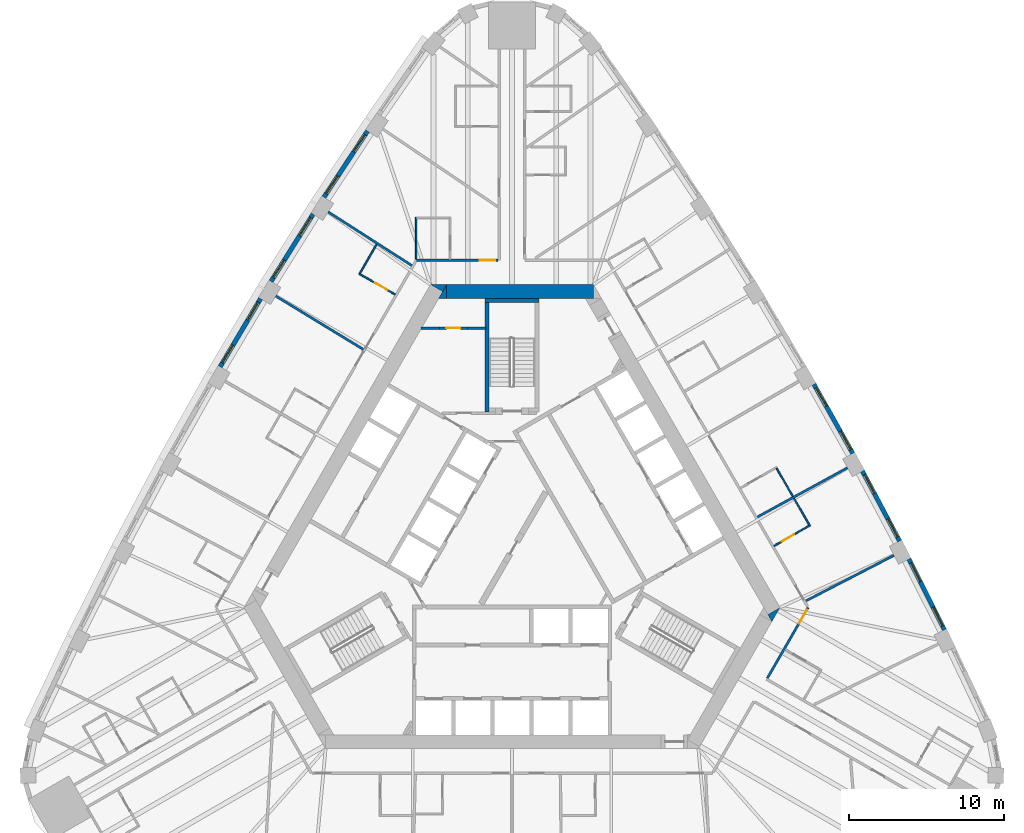
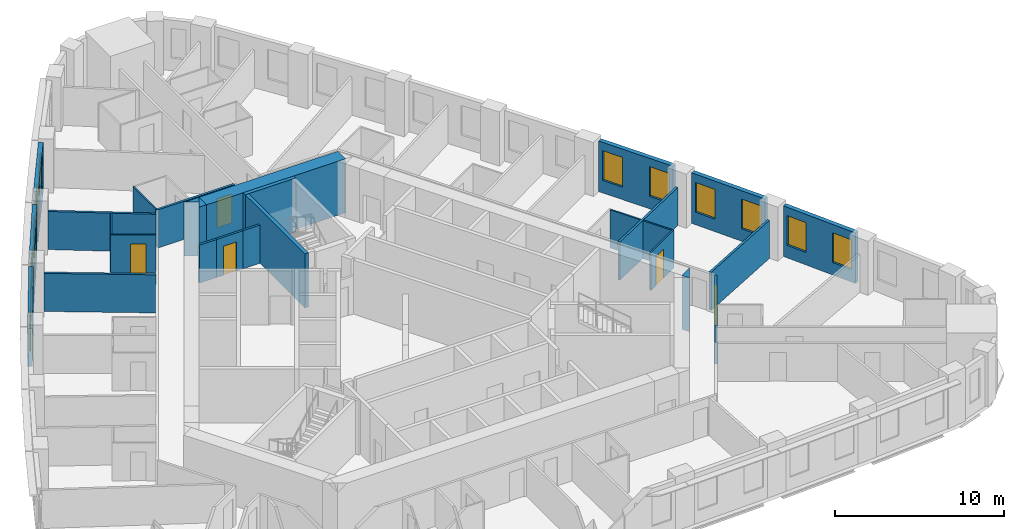
# One storey, part 9 of 12: 27 walls, 12 windows, 5 doors, 17 openings.
"""IFC4 building model written with IfcOpenShell, lengths in metres."""

from ifc_helpers import new_model, si_unit, direction, frame, frame_2d, origin, place, context, subcontext, project, spatial, polyline, rectangle, outline, extrude, material, layer, layer_set, type_object, element, fill, save


model = new_model("IFC4")

# Units and contexts
model_context = context("Model", 3, precision=1e-05, world=origin(), true_north=direction((0.0, 1.0)))
body_context = subcontext(model_context, "Body", "Model", "MODEL_VIEW")
ifc_project = project(units=[si_unit("LENGTHUNIT", "METRE"), si_unit("AREAUNIT", "SQUARE_METRE"), si_unit("VOLUMEUNIT", "CUBIC_METRE"), si_unit("PLANEANGLEUNIT", "RADIAN"), si_unit("MASSUNIT", "GRAM", prefix="KILO")], contexts=[model_context])

# Site, building, storey
site_placement = place(None, origin())
site = spatial("IfcSite", under=ifc_project, at=site_placement, CompositionType="ELEMENT")
building_placement = place(site_placement, origin())
building = spatial("IfcBuilding", under=site, at=building_placement, Name="Mestral Congress Tower", CompositionType="ELEMENT")
storey_placement = place(building_placement, frame((0.0, 0.0, 107.10009765625)))
storey = spatial("IfcBuildingStorey", under=building, at=storey_placement, Name="L25", CompositionType="ELEMENT", Elevation=107.10009765625)

# Walls
ifc_material_1 = material(Name="Fire-rated board partition")
ifc_layer_1 = layer(ifc_material_1, 0.14990234375)
ifc_layer_set_1 = layer_set([ifc_layer_1], Name="Fire-rated board partition")
wall_type_1 = type_object("IfcWallType", Name="Core partition 150", PredefinedType="PARTITIONING", material=ifc_layer_set_1)
wall_1_placement = place(storey_placement, frame((-5.85107421875, 14.10205078125, 0.0), z_axis=(0.0, 0.0, 1.0), x_axis=(1.0, 0.0, 0.0)))
element("IfcWall", 1, at=wall_1_placement, inside=storey, type_object=wall_type_1, Name="L25 core wall", PredefinedType="PARTITIONING", context=body_context, shape_type="SweptSolid", body=[
    extrude(rectangle(XDim=1.18017578125, YDim=0.14990234375, at=frame_2d((0.590087890625, 0.0))), origin(), (0.0, 0.0, 1.0), 2.75),
])
wall_2_placement = place(storey_placement, frame((-2.87060546875, 14.10205078125, 0.0), z_axis=(0.0, 0.0, 1.0), x_axis=(1.0, 0.0, 0.0)))
element("IfcWall", 2, at=wall_2_placement, inside=storey, type_object=wall_type_1, Name="L25 core wall", PredefinedType="PARTITIONING", context=body_context, shape_type="SweptSolid", body=[
    extrude(rectangle(XDim=1.195556640625, YDim=0.14990234375, at=frame_2d((0.59765625, 0.0))), origin(), (0.0, 0.0, 1.0), 2.75),
])

# Wall, opening, door
wall_3_placement = place(storey_placement, frame((-2.870849609375, 14.10205078125, 0.0), z_axis=(0.0, 0.0, 1.0), x_axis=(-1.0, 0.0, 0.0)))
wall_3 = element("IfcWall", 3, at=wall_3_placement, inside=storey, type_object=wall_type_1, Name="L25 door wall", PredefinedType="PARTITIONING", context=body_context, shape_type="SweptSolid", body=[
    extrude(rectangle(XDim=1.800048828125, YDim=0.14990234375, at=frame_2d((0.89990234375, 0.0))), origin(), (0.0, 0.0, 1.0), 2.75),
])
opening_1_placement = place(wall_3_placement, frame((0.449951171875, 0.0, 0.0)))
opening_1 = element("IfcOpeningElement", 4, at=opening_1_placement, cuts=wall_3, Name="Opening SD-WS2", PredefinedType="OPENING", context=body_context, shape_type="SweptSolid", body=[
    extrude(rectangle(XDim=0.89990234375, YDim=2.10009765625, at=frame_2d((0.449951171875, 1.050048828125))), frame((0.0, 0.0849609375, 0.0), z_axis=(0.0, -1.0, 0.0), x_axis=(1.0, 0.0, 0.0)), (0.0, 0.0, 1.0), 0.169921875),
])
ifc_material_2 = material(Name="Fire-rated steel door set", Category="steel")
door_type_1 = type_object("IfcDoorType", Name="Core door SR 900x2100", OperationType="SINGLE_SWING_LEFT", PredefinedType="DOOR", material=ifc_material_2)
door_1_placement = place(opening_1_placement, origin())
door_1 = element("IfcDoor", 5, at=door_1_placement, inside=storey, type_object=door_type_1, Name="Door SD-WS2", OperationType="SINGLE_SWING_LEFT", OverallHeight=2.10009765625, OverallWidth=0.89990234375, PredefinedType="DOOR", context=body_context, shape_type="SweptSolid", body=[
    extrude(rectangle(XDim=0.89990234375, YDim=2.10009765625, at=frame_2d((0.449951171875, 1.050048828125))), frame((0.0, 0.02490234375, 0.0), z_axis=(0.0, -1.0, 0.0), x_axis=(1.0, 0.0, 0.0)), (0.0, 0.0, 1.0), 0.050048828125),
])
fill(opening_1, door_1)

# Walls
ifc_material_3 = material(Name="Concrete C60/75", Category="concrete")
ifc_layer_2 = layer(ifc_material_3, 0.89990234375)
ifc_layer_set_2 = layer_set([ifc_layer_2], Name="Concrete C60/75")
wall_type_2 = type_object("IfcWallType", Name="Core wall RC 900", PredefinedType="SOLIDWALL", material=ifc_layer_set_2)
placement = place(storey_placement, origin())
element("IfcWall", 6, at=placement, inside=storey, type_object=wall_type_2, Name="L25 core wall", PredefinedType="SOLIDWALL", context=body_context, shape_type="SweptSolid", body=[
    extrude(outline(polyline([(16.7431640625, -4.800048828125), (16.4892578125, -4.360107421875), (17.251220703125, -3.920166015625), (16.7431640625, -4.800048828125)])), origin(), (0.0, 0.0, 1.0), 3.89990234375),
])
element("IfcWall", 7, at=placement, inside=storey, type_object=wall_type_2, Name="L25 core wall", PredefinedType="SOLIDWALL", context=body_context, shape_type="SweptSolid", body=[
    extrude(outline(polyline([(-4.214599609375, 16.89990234375), (-4.46875, 16.460205078125), (-5.230712890625, 16.89990234375), (-4.214599609375, 16.89990234375)])), origin(), (0.0, 0.0, 1.0), 3.89990234375),
])
wall_6_placement = place(storey_placement, frame((-4.224365234375, 16.449951171875, 0.0), z_axis=(0.0, 0.0, 1.0), x_axis=(1.0, 0.0, 0.0)))
element("IfcWall", 8, at=wall_6_placement, inside=storey, type_object=wall_type_2, Name="L25 core wall", PredefinedType="SOLIDWALL", context=body_context, shape_type="SweptSolid", body=[
    extrude(rectangle(XDim=9.48779296875, YDim=0.89990234375, at=frame_2d((4.743896484375, 0.0))), origin(), (0.0, 0.0, 1.0), 3.89990234375),
])
element("IfcWall", 9, at=placement, inside=storey, type_object=wall_type_2, Name="L25 core wall", PredefinedType="SOLIDWALL", context=body_context, shape_type="SweptSolid", body=[
    extrude(outline(polyline([(-4.734375, 16.0), (-4.226318359375, 16.8798828125), (-4.226318359375, 16.0), (-4.734375, 16.0)])), origin(), (0.0, 0.0, 1.0), 3.89990234375),
])

# Wall, openings, windows
ifc_material_4 = material(Name="Precast concrete C40/50 with limestone facing", Category="masonry")
ifc_layer_3 = layer(ifc_material_4, 0.2900390625)
ifc_layer_set_3 = layer_set([ifc_layer_3], Name="Precast concrete C40/50 with limestone facing")
wall_type_3 = type_object("IfcWallType", Name="Facade stone wall 290", PredefinedType="SOLIDWALL", material=ifc_layer_set_3)
wall_8_placement = place(storey_placement, frame((27.864013671875, -5.336181640625, 0.0), z_axis=(0.0, 0.0, 1.0), x_axis=(-0.448534297211, 0.893765620409, 0.0)))
wall_8 = element("IfcWall", 10, at=wall_8_placement, inside=storey, type_object=wall_type_3, Name="Facade wall F1-01", PredefinedType="SOLIDWALL", context=body_context, shape_type="SweptSolid", body=[
    extrude(rectangle(XDim=5.10009765625, YDim=0.2900390625, at=frame_2d((2.550048828125, 0.0))), origin(), (0.0, 0.0, 1.0), 3.64990234375),
])
opening_2_placement = place(wall_8_placement, frame((0.2724609375, 0.0, 0.89990234375)))
opening_2 = element("IfcOpeningElement", 11, at=opening_2_placement, cuts=wall_8, Name="Opening W2", PredefinedType="OPENING", context=body_context, shape_type="SweptSolid", body=[
    extrude(rectangle(XDim=1.35009765625, YDim=2.14990234375, at=frame_2d((0.675048828125, 1.074951171875))), frame((0.0, 0.155029296875, 0.0), z_axis=(0.0, -1.0, 0.0), x_axis=(1.0, 0.0, 0.0)), (0.0, 0.0, 1.0), 0.31005859375),
])
opening_3_placement = place(wall_8_placement, frame((3.477783203125, 0.0, 0.89990234375)))
opening_3 = element("IfcOpeningElement", 12, at=opening_3_placement, cuts=wall_8, Name="Opening W2", PredefinedType="OPENING", context=body_context, shape_type="SweptSolid", body=[
    extrude(rectangle(XDim=1.35009765625, YDim=2.14990234375, at=frame_2d((0.675048828125, 1.074951171875))), frame((0.0, 0.155029296875, 0.0), z_axis=(0.0, -1.0, 0.0), x_axis=(1.0, 0.0, 0.0)), (0.0, 0.0, 1.0), 0.31005859375),
])
ifc_material_5 = material(Name="Clear low-emissivity double glazing", Category="glass")
window_type = type_object("IfcWindowType", Name="Facade punched window 1350 x 2150 sill 900", PartitioningType="DOUBLE_PANEL_VERTICAL", PredefinedType="WINDOW", material=ifc_material_5)
window_1_placement = place(opening_2_placement, origin())
window_1 = element("IfcWindow", 13, at=window_1_placement, inside=storey, type_object=window_type, Name="Window F1-01a", OverallHeight=2.14990234375, OverallWidth=1.35009765625, PartitioningType="DOUBLE_PANEL_VERTICAL", PredefinedType="WINDOW", context=body_context, shape_type="SweptSolid", body=[
    extrude(rectangle(XDim=1.35009765625, YDim=2.14990234375, at=frame_2d((0.675048828125, 1.074951171875))), frame((0.0, 0.01513671875, 0.0), z_axis=(0.0, -1.0, 0.0), x_axis=(1.0, 0.0, 0.0)), (0.0, 0.0, 1.0), 0.06005859375),
])
fill(opening_2, window_1)
window_2_placement = place(opening_3_placement, origin())
window_2 = element("IfcWindow", 14, at=window_2_placement, inside=storey, type_object=window_type, Name="Window F1-01b", OverallHeight=2.14990234375, OverallWidth=1.35009765625, PartitioningType="DOUBLE_PANEL_VERTICAL", PredefinedType="WINDOW", context=body_context, shape_type="SweptSolid", body=[
    extrude(rectangle(XDim=1.35009765625, YDim=2.14990234375, at=frame_2d((0.675048828125, 1.074951171875))), frame((0.0, 0.01513671875, 0.0), z_axis=(0.0, -1.0, 0.0), x_axis=(1.0, 0.0, 0.0)), (0.0, 0.0, 1.0), 0.06005859375),
])
fill(opening_3, window_2)

wall_9_placement = place(storey_placement, frame((24.976806640625, 0.3828125, 0.0), z_axis=(0.0, 0.0, 1.0), x_axis=(-0.469323203119, 0.883026461106, 0.0)))
wall_9 = element("IfcWall", 15, at=wall_9_placement, inside=storey, type_object=wall_type_3, Name="Facade wall F1-02", PredefinedType="SOLIDWALL", context=body_context, shape_type="SweptSolid", body=[
    extrude(rectangle(XDim=5.1005859375, YDim=0.2900390625, at=frame_2d((2.55029296875, 0.0))), origin(), (0.0, 0.0, 1.0), 3.64990234375),
])
opening_4_placement = place(wall_9_placement, frame((0.272705078125, 0.0, 0.89990234375)))
opening_4 = element("IfcOpeningElement", 16, at=opening_4_placement, cuts=wall_9, Name="Opening W2", PredefinedType="OPENING", context=body_context, shape_type="SweptSolid", body=[
    extrude(rectangle(XDim=1.35009765625, YDim=2.14990234375, at=frame_2d((0.675048828125, 1.074951171875))), frame((0.0, 0.155029296875, 0.0), z_axis=(0.0, -1.0, 0.0), x_axis=(1.0, 0.0, 0.0)), (0.0, 0.0, 1.0), 0.31005859375),
])
opening_5_placement = place(wall_9_placement, frame((3.477783203125, 0.0, 0.89990234375)))
opening_5 = element("IfcOpeningElement", 17, at=opening_5_placement, cuts=wall_9, Name="Opening W2", PredefinedType="OPENING", context=body_context, shape_type="SweptSolid", body=[
    extrude(rectangle(XDim=1.35009765625, YDim=2.14990234375, at=frame_2d((0.675048828125, 1.074951171875))), frame((0.0, 0.155029296875, 0.0), z_axis=(0.0, -1.0, 0.0), x_axis=(1.0, 0.0, 0.0)), (0.0, 0.0, 1.0), 0.31005859375),
])
window_3_placement = place(opening_4_placement, origin())
window_3 = element("IfcWindow", 18, at=window_3_placement, inside=storey, type_object=window_type, Name="Window F1-02a", OverallHeight=2.14990234375, OverallWidth=1.35009765625, PartitioningType="DOUBLE_PANEL_VERTICAL", PredefinedType="WINDOW", context=body_context, shape_type="SweptSolid", body=[
    extrude(rectangle(XDim=1.35009765625, YDim=2.14990234375, at=frame_2d((0.675048828125, 1.074951171875))), frame((0.0, 0.01513671875, 0.0), z_axis=(0.0, -1.0, 0.0), x_axis=(1.0, 0.0, 0.0)), (0.0, 0.0, 1.0), 0.06005859375),
])
fill(opening_4, window_3)
window_4_placement = place(opening_5_placement, origin())
window_4 = element("IfcWindow", 19, at=window_4_placement, inside=storey, type_object=window_type, Name="Window F1-02b", OverallHeight=2.14990234375, OverallWidth=1.35009765625, PartitioningType="DOUBLE_PANEL_VERTICAL", PredefinedType="WINDOW", context=body_context, shape_type="SweptSolid", body=[
    extrude(rectangle(XDim=1.35009765625, YDim=2.14990234375, at=frame_2d((0.675048828125, 1.074951171875))), frame((0.0, 0.01513671875, 0.0), z_axis=(0.0, -1.0, 0.0), x_axis=(1.0, 0.0, 0.0)), (0.0, 0.0, 1.0), 0.06005859375),
])
fill(opening_5, window_4)

wall_10_placement = place(storey_placement, frame((21.956298828125, 6.033203125, 0.0), z_axis=(0.0, 0.0, 1.0), x_axis=(-0.48983164787, 0.87181704316, 0.0)))
wall_10 = element("IfcWall", 20, at=wall_10_placement, inside=storey, type_object=wall_type_3, Name="Facade wall F1-03", PredefinedType="SOLIDWALL", context=body_context, shape_type="SweptSolid", body=[
    extrude(rectangle(XDim=5.100341796875, YDim=0.2900390625, at=frame_2d((2.55029296875, 0.0))), origin(), (0.0, 0.0, 1.0), 3.64990234375),
])
opening_6_placement = place(wall_10_placement, frame((0.272705078125, 0.0, 0.89990234375)))
opening_6 = element("IfcOpeningElement", 21, at=opening_6_placement, cuts=wall_10, Name="Opening W2", PredefinedType="OPENING", context=body_context, shape_type="SweptSolid", body=[
    extrude(rectangle(XDim=1.35009765625, YDim=2.14990234375, at=frame_2d((0.675048828125, 1.074951171875))), frame((0.0, 0.155029296875, 0.0), z_axis=(0.0, -1.0, 0.0), x_axis=(1.0, 0.0, 0.0)), (0.0, 0.0, 1.0), 0.31005859375),
])
opening_7_placement = place(wall_10_placement, frame((3.477783203125, 0.0, 0.89990234375)))
opening_7 = element("IfcOpeningElement", 22, at=opening_7_placement, cuts=wall_10, Name="Opening W2", PredefinedType="OPENING", context=body_context, shape_type="SweptSolid", body=[
    extrude(rectangle(XDim=1.35009765625, YDim=2.14990234375, at=frame_2d((0.675048828125, 1.074951171875))), frame((0.0, 0.155029296875, 0.0), z_axis=(0.0, -1.0, 0.0), x_axis=(1.0, 0.0, 0.0)), (0.0, 0.0, 1.0), 0.31005859375),
])
window_5_placement = place(opening_6_placement, origin())
window_5 = element("IfcWindow", 23, at=window_5_placement, inside=storey, type_object=window_type, Name="Window F1-03a", OverallHeight=2.14990234375, OverallWidth=1.35009765625, PartitioningType="DOUBLE_PANEL_VERTICAL", PredefinedType="WINDOW", context=body_context, shape_type="SweptSolid", body=[
    extrude(rectangle(XDim=1.35009765625, YDim=2.14990234375, at=frame_2d((0.675048828125, 1.074951171875))), frame((0.0, 0.01513671875, 0.0), z_axis=(0.0, -1.0, 0.0), x_axis=(1.0, 0.0, 0.0)), (0.0, 0.0, 1.0), 0.06005859375),
])
fill(opening_6, window_5)
window_6_placement = place(opening_7_placement, origin())
window_6 = element("IfcWindow", 24, at=window_6_placement, inside=storey, type_object=window_type, Name="Window F1-03b", OverallHeight=2.14990234375, OverallWidth=1.35009765625, PartitioningType="DOUBLE_PANEL_VERTICAL", PredefinedType="WINDOW", context=body_context, shape_type="SweptSolid", body=[
    extrude(rectangle(XDim=1.35009765625, YDim=2.14990234375, at=frame_2d((0.675048828125, 1.074951171875))), frame((0.0, 0.01513671875, 0.0), z_axis=(0.0, -1.0, 0.0), x_axis=(1.0, 0.0, 0.0)), (0.0, 0.0, 1.0), 0.06005859375),
])
fill(opening_7, window_6)

wall_11_placement = place(storey_placement, frame((-9.310791015625, 26.799072265625, 0.0), z_axis=(0.0, 0.0, 1.0), x_axis=(-0.549741341923, -0.835334937005, 0.0)))
wall_11 = element("IfcWall", 25, at=wall_11_placement, inside=storey, type_object=wall_type_3, Name="Facade wall F2-01", PredefinedType="SOLIDWALL", context=body_context, shape_type="SweptSolid", body=[
    extrude(rectangle(XDim=5.10009765625, YDim=0.2900390625, at=frame_2d((2.550048828125, 0.0))), origin(), (0.0, 0.0, 1.0), 3.64990234375),
])
opening_8_placement = place(wall_11_placement, frame((0.272705078125, 0.0, 0.89990234375)))
opening_8 = element("IfcOpeningElement", 26, at=opening_8_placement, cuts=wall_11, Name="Opening W2", PredefinedType="OPENING", context=body_context, shape_type="SweptSolid", body=[
    extrude(rectangle(XDim=1.35009765625, YDim=2.14990234375, at=frame_2d((0.675048828125, 1.074951171875))), frame((0.0, 0.155029296875, 0.0), z_axis=(0.0, -1.0, 0.0), x_axis=(1.0, 0.0, 0.0)), (0.0, 0.0, 1.0), 0.31005859375),
])
opening_9_placement = place(wall_11_placement, frame((3.477783203125, 0.0, 0.89990234375)))
opening_9 = element("IfcOpeningElement", 27, at=opening_9_placement, cuts=wall_11, Name="Opening W2", PredefinedType="OPENING", context=body_context, shape_type="SweptSolid", body=[
    extrude(rectangle(XDim=1.35009765625, YDim=2.14990234375, at=frame_2d((0.675048828125, 1.074951171875))), frame((0.0, 0.155029296875, 0.0), z_axis=(0.0, -1.0, 0.0), x_axis=(1.0, 0.0, 0.0)), (0.0, 0.0, 1.0), 0.31005859375),
])
window_7_placement = place(opening_8_placement, origin())
window_7 = element("IfcWindow", 28, at=window_7_placement, inside=storey, type_object=window_type, Name="Window F2-01a", OverallHeight=2.14990234375, OverallWidth=1.35009765625, PartitioningType="DOUBLE_PANEL_VERTICAL", PredefinedType="WINDOW", context=body_context, shape_type="SweptSolid", body=[
    extrude(rectangle(XDim=1.35009765625, YDim=2.14990234375, at=frame_2d((0.675048828125, 1.074951171875))), frame((0.0, 0.01513671875, 0.0), z_axis=(0.0, -1.0, 0.0), x_axis=(1.0, 0.0, 0.0)), (0.0, 0.0, 1.0), 0.06005859375),
])
fill(opening_8, window_7)
window_8_placement = place(opening_9_placement, origin())
window_8 = element("IfcWindow", 29, at=window_8_placement, inside=storey, type_object=window_type, Name="Window F2-01b", OverallHeight=2.14990234375, OverallWidth=1.35009765625, PartitioningType="DOUBLE_PANEL_VERTICAL", PredefinedType="WINDOW", context=body_context, shape_type="SweptSolid", body=[
    extrude(rectangle(XDim=1.35009765625, YDim=2.14990234375, at=frame_2d((0.675048828125, 1.074951171875))), frame((0.0, 0.01513671875, 0.0), z_axis=(0.0, -1.0, 0.0), x_axis=(1.0, 0.0, 0.0)), (0.0, 0.0, 1.0), 0.06005859375),
])
fill(opening_9, window_8)

wall_12_placement = place(storey_placement, frame((-12.820068359375, 21.43896484375, 0.0), z_axis=(0.0, 0.0, 1.0), x_axis=(-0.530072082134, -0.847952585787, 0.0)))
wall_12 = element("IfcWall", 30, at=wall_12_placement, inside=storey, type_object=wall_type_3, Name="Facade wall F2-02", PredefinedType="SOLIDWALL", context=body_context, shape_type="SweptSolid", body=[
    extrude(rectangle(XDim=5.100341796875, YDim=0.2900390625, at=frame_2d((2.55029296875, 0.0))), origin(), (0.0, 0.0, 1.0), 3.64990234375),
])
opening_10_placement = place(wall_12_placement, frame((0.272705078125, 0.0, 0.89990234375)))
opening_10 = element("IfcOpeningElement", 31, at=opening_10_placement, cuts=wall_12, Name="Opening W2", PredefinedType="OPENING", context=body_context, shape_type="SweptSolid", body=[
    extrude(rectangle(XDim=1.35009765625, YDim=2.14990234375, at=frame_2d((0.675048828125, 1.074951171875))), frame((0.0, 0.155029296875, 0.0), z_axis=(0.0, -1.0, 0.0), x_axis=(1.0, 0.0, 0.0)), (0.0, 0.0, 1.0), 0.31005859375),
])
opening_11_placement = place(wall_12_placement, frame((3.477783203125, 0.0, 0.89990234375)))
opening_11 = element("IfcOpeningElement", 32, at=opening_11_placement, cuts=wall_12, Name="Opening W2", PredefinedType="OPENING", context=body_context, shape_type="SweptSolid", body=[
    extrude(rectangle(XDim=1.35009765625, YDim=2.14990234375, at=frame_2d((0.675048828125, 1.074951171875))), frame((0.0, 0.155029296875, 0.0), z_axis=(0.0, -1.0, 0.0), x_axis=(1.0, 0.0, 0.0)), (0.0, 0.0, 1.0), 0.31005859375),
])
window_9_placement = place(opening_10_placement, origin())
window_9 = element("IfcWindow", 33, at=window_9_placement, inside=storey, type_object=window_type, Name="Window F2-02a", OverallHeight=2.14990234375, OverallWidth=1.35009765625, PartitioningType="DOUBLE_PANEL_VERTICAL", PredefinedType="WINDOW", context=body_context, shape_type="SweptSolid", body=[
    extrude(rectangle(XDim=1.35009765625, YDim=2.14990234375, at=frame_2d((0.675048828125, 1.074951171875))), frame((0.0, 0.01513671875, 0.0), z_axis=(0.0, -1.0, 0.0), x_axis=(1.0, 0.0, 0.0)), (0.0, 0.0, 1.0), 0.06005859375),
])
fill(opening_10, window_9)
window_10_placement = place(opening_11_placement, origin())
window_10 = element("IfcWindow", 34, at=window_10_placement, inside=storey, type_object=window_type, Name="Window F2-02b", OverallHeight=2.14990234375, OverallWidth=1.35009765625, PartitioningType="DOUBLE_PANEL_VERTICAL", PredefinedType="WINDOW", context=body_context, shape_type="SweptSolid", body=[
    extrude(rectangle(XDim=1.35009765625, YDim=2.14990234375, at=frame_2d((0.675048828125, 1.074951171875))), frame((0.0, 0.01513671875, 0.0), z_axis=(0.0, -1.0, 0.0), x_axis=(1.0, 0.0, 0.0)), (0.0, 0.0, 1.0), 0.06005859375),
])
fill(opening_11, window_10)

wall_13_placement = place(storey_placement, frame((-16.203125, 15.998291015625, 0.0), z_axis=(0.0, 0.0, 1.0), x_axis=(-0.510054281659, -0.860142214847, 0.0)))
wall_13 = element("IfcWall", 35, at=wall_13_placement, inside=storey, type_object=wall_type_3, Name="Facade wall F2-03", PredefinedType="SOLIDWALL", context=body_context, shape_type="SweptSolid", body=[
    extrude(rectangle(XDim=5.1005859375, YDim=0.2900390625, at=frame_2d((2.55029296875, 0.0))), origin(), (0.0, 0.0, 1.0), 3.64990234375),
])
opening_12_placement = place(wall_13_placement, frame((0.272705078125, 0.0, 0.89990234375)))
opening_12 = element("IfcOpeningElement", 36, at=opening_12_placement, cuts=wall_13, Name="Opening W2", PredefinedType="OPENING", context=body_context, shape_type="SweptSolid", body=[
    extrude(rectangle(XDim=1.35009765625, YDim=2.14990234375, at=frame_2d((0.675048828125, 1.074951171875))), frame((0.0, 0.155029296875, 0.0), z_axis=(0.0, -1.0, 0.0), x_axis=(1.0, 0.0, 0.0)), (0.0, 0.0, 1.0), 0.31005859375),
])
opening_13_placement = place(wall_13_placement, frame((3.477783203125, 0.0, 0.89990234375)))
opening_13 = element("IfcOpeningElement", 37, at=opening_13_placement, cuts=wall_13, Name="Opening W2", PredefinedType="OPENING", context=body_context, shape_type="SweptSolid", body=[
    extrude(rectangle(XDim=1.35009765625, YDim=2.14990234375, at=frame_2d((0.675048828125, 1.074951171875))), frame((0.0, 0.155029296875, 0.0), z_axis=(0.0, -1.0, 0.0), x_axis=(1.0, 0.0, 0.0)), (0.0, 0.0, 1.0), 0.31005859375),
])
window_11_placement = place(opening_12_placement, origin())
window_11 = element("IfcWindow", 38, at=window_11_placement, inside=storey, type_object=window_type, Name="Window F2-03a", OverallHeight=2.14990234375, OverallWidth=1.35009765625, PartitioningType="DOUBLE_PANEL_VERTICAL", PredefinedType="WINDOW", context=body_context, shape_type="SweptSolid", body=[
    extrude(rectangle(XDim=1.35009765625, YDim=2.14990234375, at=frame_2d((0.675048828125, 1.074951171875))), frame((0.0, 0.01513671875, 0.0), z_axis=(0.0, -1.0, 0.0), x_axis=(1.0, 0.0, 0.0)), (0.0, 0.0, 1.0), 0.06005859375),
])
fill(opening_12, window_11)
window_12_placement = place(opening_13_placement, origin())
window_12 = element("IfcWindow", 39, at=window_12_placement, inside=storey, type_object=window_type, Name="Window F2-03b", OverallHeight=2.14990234375, OverallWidth=1.35009765625, PartitioningType="DOUBLE_PANEL_VERTICAL", PredefinedType="WINDOW", context=body_context, shape_type="SweptSolid", body=[
    extrude(rectangle(XDim=1.35009765625, YDim=2.14990234375, at=frame_2d((0.675048828125, 1.074951171875))), frame((0.0, 0.01513671875, 0.0), z_axis=(0.0, -1.0, 0.0), x_axis=(1.0, 0.0, 0.0)), (0.0, 0.0, 1.0), 0.06005859375),
])
fill(opening_13, window_12)

# Wall, opening, door
ifc_material_6 = material(Name="Gypsum board partition on metal studs with mineral wool", Category="composite")
ifc_layer_4 = layer(ifc_material_6, 0.10009765625)
ifc_layer_set_4 = layer_set([ifc_layer_4], Name="Gypsum board partition on metal studs with mineral wool")
wall_type_4 = type_object("IfcWallType", Name="Hotel partition wall 100", PredefinedType="PARTITIONING", material=ifc_layer_set_4)
wall_14_placement = place(storey_placement, frame((16.88134765625, 0.060546875, 0.0), z_axis=(0.0, 0.0, 1.0), x_axis=(0.866019956843, 0.50000943426, 0.0)))
wall_14 = element("IfcWall", 40, at=wall_14_placement, inside=storey, type_object=wall_type_4, Name="L25-h-pod10a", PredefinedType="PARTITIONING", context=body_context, shape_type="SweptSolid", body=[
    extrude(rectangle(XDim=2.7001953125, YDim=0.10009765625, at=frame_2d((1.35009765625, 0.0))), origin(), (0.0, 0.0, 1.0), 2.75),
])
opening_14_placement = place(wall_14_placement, frame((0.60009765625, 0.0, 0.0)))
opening_14 = element("IfcOpeningElement", 41, at=opening_14_placement, cuts=wall_14, Name="Opening H08-017", PredefinedType="OPENING", context=body_context, shape_type="SweptSolid", body=[
    extrude(rectangle(XDim=0.89990234375, YDim=2.10009765625, at=frame_2d((0.449951171875, 1.050048828125))), frame((0.0, 0.06005859375, 0.0), z_axis=(0.0, -1.0, 0.0), x_axis=(1.0, 0.0, 0.0)), (0.0, 0.0, 1.0), 0.1201171875),
])
ifc_material_7 = material(Name="Timber veneer door leaf in timber frame", Category="wood")
door_type_2 = type_object("IfcDoorType", Name="Bathroom door 900", OperationType="SINGLE_SWING_LEFT", PredefinedType="DOOR", material=ifc_material_7)
door_2_placement = place(opening_14_placement, origin())
door_2 = element("IfcDoor", 42, at=door_2_placement, inside=storey, type_object=door_type_2, Name="L25-h-d017", OperationType="SINGLE_SWING_LEFT", OverallHeight=2.10009765625, OverallWidth=0.89990234375, PredefinedType="DOOR", context=body_context, shape_type="SweptSolid", body=[
    extrude(rectangle(XDim=0.89990234375, YDim=2.10009765625, at=frame_2d((0.449951171875, 1.050048828125))), frame((0.0, 0.02490234375, 0.0), z_axis=(0.0, -1.0, 0.0), x_axis=(1.0, 0.0, 0.0)), (0.0, 0.0, 1.0), 0.050048828125),
])
fill(opening_14, door_2)

# Walls
wall_15_placement = place(storey_placement, frame((19.1513671875, 1.428955078125, 0.0), z_axis=(0.0, 0.0, 1.0), x_axis=(-0.500024377727, 0.866011328839, 0.0)))
element("IfcWall", 43, at=wall_15_placement, inside=storey, type_object=wall_type_4, Name="L25-h-pod10b", PredefinedType="PARTITIONING", context=body_context, shape_type="SweptSolid", body=[
    extrude(rectangle(XDim=1.9599609375, YDim=0.10009765625, at=frame_2d((0.97998046875, 0.0))), origin(), (0.0, 0.0, 1.0), 2.75),
])
wall_16_placement = place(storey_placement, frame((17.04736328125, 5.072998046875, 0.0), z_axis=(0.0, 0.0, 1.0), x_axis=(0.500008976872, -0.866020220923, 0.0)))
element("IfcWall", 44, at=wall_16_placement, inside=storey, type_object=wall_type_4, Name="L25-h-pod11b", PredefinedType="PARTITIONING", context=body_context, shape_type="SweptSolid", body=[
    extrude(rectangle(XDim=2.08984375, YDim=0.10009765625, at=frame_2d((1.044921875, 0.0))), origin(), (0.0, 0.0, 1.0), 2.75),
])
wall_17_placement = place(storey_placement, frame((-6.18310546875, 18.550048828125, 0.0), z_axis=(0.0, 0.0, 1.0), x_axis=(0.0, 1.0, 0.0)))
element("IfcWall", 45, at=wall_17_placement, inside=storey, type_object=wall_type_4, Name="L25-h-pod18c", PredefinedType="PARTITIONING", context=body_context, shape_type="SweptSolid", body=[
    extrude(rectangle(XDim=2.699951171875, YDim=0.10009765625, at=frame_2d((1.35009765625, 0.0))), origin(), (0.0, 0.0, 1.0), 2.75),
])

# Wall, opening, door
wall_18_placement = place(storey_placement, frame((-9.8642578125, 17.614501953125, 0.0), z_axis=(0.0, 0.0, 1.0), x_axis=(0.866019956843, -0.50000943426, 0.0)))
wall_18 = element("IfcWall", 46, at=wall_18_placement, inside=storey, type_object=wall_type_4, Name="L25-h-pod19a", PredefinedType="PARTITIONING", context=body_context, shape_type="SweptSolid", body=[
    extrude(rectangle(XDim=2.7001953125, YDim=0.10009765625, at=frame_2d((1.35009765625, 0.0))), origin(), (0.0, 0.0, 1.0), 2.75),
])
opening_15_placement = place(wall_18_placement, frame((1.199951171875, 0.0, 0.0)))
opening_15 = element("IfcOpeningElement", 47, at=opening_15_placement, cuts=wall_18, Name="Opening H08-034", PredefinedType="OPENING", context=body_context, shape_type="SweptSolid", body=[
    extrude(rectangle(XDim=0.89990234375, YDim=2.10009765625, at=frame_2d((0.449951171875, 1.050048828125))), frame((0.0, 0.06005859375, 0.0), z_axis=(0.0, -1.0, 0.0), x_axis=(1.0, 0.0, 0.0)), (0.0, 0.0, 1.0), 0.1201171875),
])
door_3_placement = place(opening_15_placement, origin())
door_3 = element("IfcDoor", 48, at=door_3_placement, inside=storey, type_object=door_type_2, Name="L25-h-d034", OperationType="SINGLE_SWING_LEFT", OverallHeight=2.10009765625, OverallWidth=0.89990234375, PredefinedType="DOOR", context=body_context, shape_type="SweptSolid", body=[
    extrude(rectangle(XDim=0.89990234375, YDim=2.10009765625, at=frame_2d((0.449951171875, 1.050048828125))), frame((0.0, 0.02490234375, 0.0), z_axis=(0.0, -1.0, 0.0), x_axis=(1.0, 0.0, 0.0)), (0.0, 0.0, 1.0), 0.050048828125),
])
fill(opening_15, door_3)

# Wall
wall_19_placement = place(storey_placement, frame((-9.7958984375, 17.6328125, 0.0), z_axis=(0.0, 0.0, 1.0), x_axis=(0.499961633463, 0.866047553582, 0.0)))
element("IfcWall", 49, at=wall_19_placement, inside=storey, type_object=wall_type_4, Name="L25-h-pod19b", PredefinedType="PARTITIONING", context=body_context, shape_type="SweptSolid", body=[
    extrude(rectangle(XDim=2.150146484375, YDim=0.10009765625, at=frame_2d((1.0751953125, 0.0))), origin(), (0.0, 0.0, 1.0), 2.75),
])

# Wall, opening, door
ifc_layer_5 = layer(ifc_material_6, 0.14990234375)
ifc_layer_set_5 = layer_set([ifc_layer_5], Name="Gypsum board partition on metal studs with mineral wool")
wall_type_5 = type_object("IfcWallType", Name="Hotel partition wall 150", PredefinedType="PARTITIONING", material=ifc_layer_set_5)
wall_20_placement = place(storey_placement, frame((19.081298828125, -3.89990234375, 0.0), z_axis=(0.0, 0.0, 1.0), x_axis=(-0.499974327079, -0.866040225545, 0.0)))
wall_20 = element("IfcWall", 50, at=wall_20_placement, inside=storey, type_object=wall_type_5, Name="L25-h-cw02", PredefinedType="PARTITIONING", context=body_context, shape_type="SweptSolid", body=[
    extrude(rectangle(XDim=5.258056640625, YDim=0.14990234375, at=frame_2d((2.62890625, 0.0))), origin(), (0.0, 0.0, 1.0), 2.75),
])
opening_16_placement = place(wall_20_placement, frame((0.179931640625, 0.0, 0.0)))
opening_16 = element("IfcOpeningElement", 51, at=opening_16_placement, cuts=wall_20, Name="Opening H08-014", PredefinedType="OPENING", context=body_context, shape_type="SweptSolid", body=[
    extrude(rectangle(XDim=1.0, YDim=2.10009765625, at=frame_2d((0.5, 1.050048828125))), frame((0.0, 0.0849609375, 0.0), z_axis=(0.0, -1.0, 0.0), x_axis=(1.0, 0.0, 0.0)), (0.0, 0.0, 1.0), 0.169921875),
])
ifc_material_8 = material(Name="Timber veneer door leaf in metal frame", Category="wood")
door_type_3 = type_object("IfcDoorType", Name="Guest room entrance door 1000", OperationType="SINGLE_SWING_LEFT", PredefinedType="DOOR", material=ifc_material_8)
door_4_placement = place(opening_16_placement, origin())
door_4 = element("IfcDoor", 52, at=door_4_placement, inside=storey, type_object=door_type_3, Name="L25-h-d014", OperationType="SINGLE_SWING_LEFT", OverallHeight=2.10009765625, OverallWidth=1.0, PredefinedType="DOOR", context=body_context, shape_type="SweptSolid", body=[
    extrude(rectangle(XDim=1.0, YDim=2.10009765625, at=frame_2d((0.5, 1.050048828125))), frame((0.0, 0.02490234375, 0.0), z_axis=(0.0, -1.0, 0.0), x_axis=(1.0, 0.0, 0.0)), (0.0, 0.0, 1.0), 0.050048828125),
])
fill(opening_16, door_4)

wall_21_placement = place(storey_placement, frame((-6.1630859375, 18.47509765625, 0.0), z_axis=(0.0, 0.0, 1.0), x_axis=(1.0, 0.0, 0.0)))
wall_21 = element("IfcWall", 53, at=wall_21_placement, inside=storey, type_object=wall_type_5, Name="L25-h-cw07", PredefinedType="PARTITIONING", context=body_context, shape_type="SweptSolid", body=[
    extrude(rectangle(XDim=5.258056640625, YDim=0.14990234375, at=frame_2d((2.62890625, 0.0))), origin(), (0.0, 0.0, 1.0), 2.75),
])
opening_17_placement = place(wall_21_placement, frame((4.078125, 0.0, 0.0)))
opening_17 = element("IfcOpeningElement", 54, at=opening_17_placement, cuts=wall_21, Name="Opening H08-031", PredefinedType="OPENING", context=body_context, shape_type="SweptSolid", body=[
    extrude(rectangle(XDim=1.0, YDim=2.10009765625, at=frame_2d((0.5, 1.050048828125))), frame((0.0, 0.0849609375, 0.0), z_axis=(0.0, -1.0, 0.0), x_axis=(1.0, 0.0, 0.0)), (0.0, 0.0, 1.0), 0.169921875),
])
door_5_placement = place(opening_17_placement, origin())
door_5 = element("IfcDoor", 55, at=door_5_placement, inside=storey, type_object=door_type_3, Name="L25-h-d031", OperationType="SINGLE_SWING_RIGHT", OverallHeight=2.10009765625, OverallWidth=1.0, PredefinedType="DOOR", context=body_context, shape_type="SweptSolid", body=[
    extrude(rectangle(XDim=1.0, YDim=2.10009765625, at=frame_2d((0.5, 1.050048828125))), frame((0.0, 0.02490234375, 0.0), z_axis=(0.0, -1.0, 0.0), x_axis=(1.0, 0.0, 0.0)), (0.0, 0.0, 1.0), 0.050048828125),
])
fill(opening_17, door_5)

# Walls
wall_22_placement = place(storey_placement, frame((-15.22509765625, 16.16748046875, 0.0), z_axis=(0.0, 0.0, 1.0), x_axis=(0.854088713274, -0.520127359266, 0.0)))
element("IfcWall", 56, at=wall_22_placement, inside=storey, type_object=wall_type_5, Name="L25-h-pw08", PredefinedType="PARTITIONING", context=body_context, shape_type="SweptSolid", body=[
    extrude(rectangle(XDim=6.61083984375, YDim=0.14990234375, at=frame_2d((3.305419921875, 0.0))), origin(), (0.0, 0.0, 1.0), 2.75),
])
wall_23_placement = place(storey_placement, frame((-11.838134765625, 21.585205078125, 0.0), z_axis=(0.0, 0.0, 1.0), x_axis=(0.841699322813, -0.539946525108, 0.0)))
element("IfcWall", 57, at=wall_23_placement, inside=storey, type_object=wall_type_5, Name="L25-h-pw09", PredefinedType="PARTITIONING", context=body_context, shape_type="SweptSolid", body=[
    extrude(rectangle(XDim=6.3916015625, YDim=0.14990234375, at=frame_2d((3.19580078125, 0.0))), origin(), (0.0, 0.0, 1.0), 2.75),
])
wall_24_placement = place(storey_placement, frame((21.614013671875, 5.1015625, 0.0), z_axis=(0.0, 0.0, 1.0), x_axis=(-0.877484555087, -0.479604895287, 0.0)))
element("IfcWall", 58, at=wall_24_placement, inside=storey, type_object=wall_type_5, Name="L25-h-pw22", PredefinedType="PARTITIONING", context=body_context, shape_type="SweptSolid", body=[
    extrude(rectangle(XDim=6.611083984375, YDim=0.14990234375, at=frame_2d((3.3056640625, 0.0))), origin(), (0.0, 0.0, 1.0), 2.75),
])
wall_25_placement = place(storey_placement, frame((24.612548828125, -0.54052734375, 0.0), z_axis=(0.0, 0.0, 1.0), x_axis=(-0.888459912519, -0.458954228487, 0.0)))
element("IfcWall", 59, at=wall_25_placement, inside=storey, type_object=wall_type_5, Name="L25-h-pw23", PredefinedType="PARTITIONING", context=body_context, shape_type="SweptSolid", body=[
    extrude(rectangle(XDim=6.391845703125, YDim=0.14990234375, at=frame_2d((3.19580078125, 0.0))), origin(), (0.0, 0.0, 1.0), 2.75),
])
ifc_layer_6 = layer(ifc_material_3, 0.25)
ifc_layer_set_6 = layer_set([ifc_layer_6], Name="Concrete C60/75")
wall_type_6 = type_object("IfcWallType", Name="Stair wall RC 250", PredefinedType="SOLIDWALL", material=ifc_layer_set_6)
wall_26_placement = place(storey_placement, frame((-1.72509765625, 15.875, 0.0), z_axis=(0.0, 0.0, 1.0), x_axis=(1.0, 0.0, 0.0)))
element("IfcWall", 60, at=wall_26_placement, inside=storey, type_object=wall_type_6, Name="L25 core wall", PredefinedType="SOLIDWALL", context=body_context, shape_type="SweptSolid", body=[
    extrude(rectangle(XDim=3.4501953125, YDim=0.25, at=frame_2d((1.72509765625, 0.0))), origin(), (0.0, 0.0, 1.0), 3.89990234375),
])
wall_27_placement = place(storey_placement, frame((-1.60009765625, 8.699951171875, 0.0), z_axis=(0.0, 0.0, 1.0), x_axis=(0.0, 1.0, 0.0)))
element("IfcWall", 61, at=wall_27_placement, inside=storey, type_object=wall_type_6, Name="L25 core wall", PredefinedType="SOLIDWALL", context=body_context, shape_type="SweptSolid", body=[
    extrude(rectangle(XDim=7.050048828125, YDim=0.25, at=frame_2d((3.52490234375, 0.0))), origin(), (0.0, 0.0, 1.0), 3.89990234375),
])

save(model, "model.ifc")
